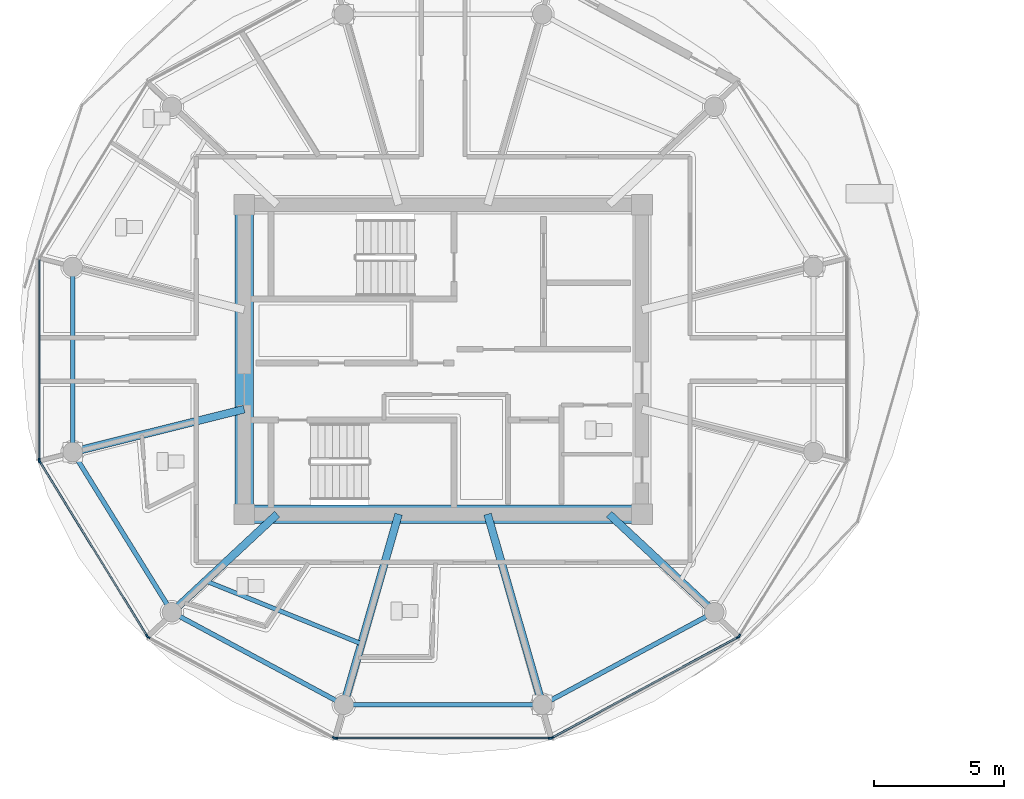
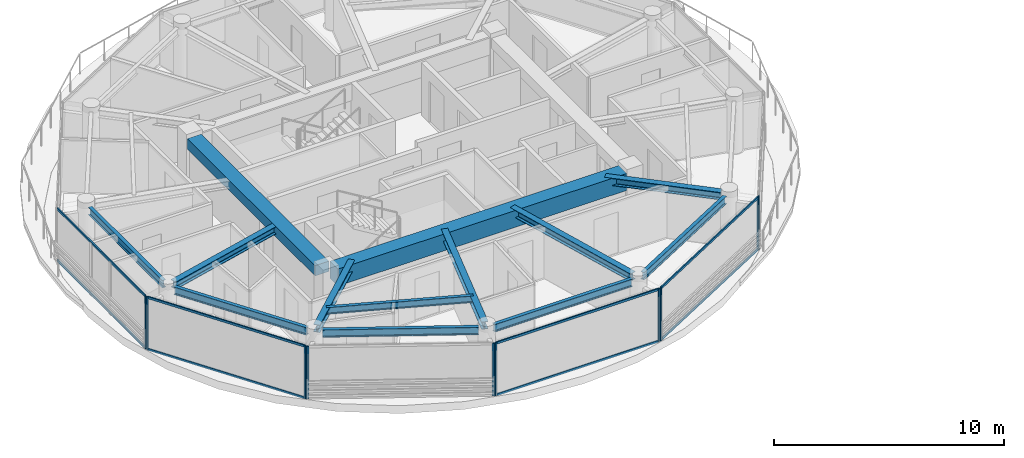
# One storey, part 2 of 28: 18 members, 13 beams, 6 elements without a shape of their own.
"""IFC4 building model written with IfcOpenShell, lengths in metres."""

from ifc_helpers import new_model, si_unit, direction, frame, origin, origin_2d, place, context, subcontext, project, spatial, rectangle, i_section, extrude, source, transform, mapped, material, layer, layer_set, material_profile, profile_set, type_object, type_shapes, element, aggregate, save


model = new_model("IFC4")

# Units and contexts
model_context = context("Model", 3, precision=1e-05, world=origin(), true_north=direction((0.0, 1.0)))
body_context = subcontext(model_context, "Body", "Model", "MODEL_VIEW")
ifc_project = project(units=[si_unit("LENGTHUNIT", "METRE"), si_unit("AREAUNIT", "SQUARE_METRE"), si_unit("VOLUMEUNIT", "CUBIC_METRE"), si_unit("PLANEANGLEUNIT", "RADIAN"), si_unit("MASSUNIT", "GRAM", prefix="KILO")], contexts=[model_context])

# Site, building, storey
site_placement = place(None, origin())
site = spatial("IfcSite", under=ifc_project, at=site_placement, CompositionType="ELEMENT")
building_placement = place(site_placement, origin())
building = spatial("IfcBuilding", under=site, at=building_placement, Name="Norrkilde Senior Care Towers", CompositionType="ELEMENT")
storey_placement = place(building_placement, frame((0.0, 0.0, 190.64990234375)))
storey = spatial("IfcBuildingStorey", under=building, at=storey_placement, Name="L59", CompositionType="ELEMENT", Elevation=190.64990234375)

# Beams
ifc_material_1 = material(Name="Concrete C60/75", Category="concrete")
ifc_material_profile_1 = material_profile(ifc_material_1, rectangle(XDim=0.699951171875, YDim=0.89990234375, at=origin_2d()), Name="RC BM 700x900")
ifc_profile_set_1 = profile_set([ifc_material_profile_1], Name="Concrete C60/75")
beam_type_1 = type_object("IfcBeamType", Name="Core Coupling Girder 700x900", PredefinedType="USERDEFINED", material=ifc_profile_set_1)
shared_shape_1 = source(origin(), body_context, "Body", "SweptSolid", [
    extrude(rectangle(XDim=0.699951171875, YDim=0.89990234375, at=origin_2d()), origin(), (0.0, 0.0, 1.0), 14.5400390625),
])
type_shapes(beam_type_1, [shared_shape_1])
beam_1_placement = place(storey_placement, frame((-35.27001953125, -5.949951171875, 2.360107421875), z_axis=(1.0, 0.0, 0.0), x_axis=(0.0, 1.0, 0.0)))
element("IfcBeam", 1, at=beam_1_placement, inside=storey, type_object=beam_type_1, Name="L59 Core W S Coupling Girder", ObjectType="GIRDER", PredefinedType="USERDEFINED", context=body_context, shape_type="MappedRepresentation", body=[
    mapped(shared_shape_1, transform((0.0, 0.0, 0.0), x_axis=(1.0, 0.0, 0.0), y_axis=(0.0, 1.0, 0.0), z_axis=(0.0, 0.0, 1.0), scale=1.0)),
])
ifc_material_profile_2 = material_profile(ifc_material_1, rectangle(XDim=0.699951171875, YDim=0.550048828125, at=origin_2d()), Name="RC BM 700x550")
ifc_profile_set_2 = profile_set([ifc_material_profile_2], Name="Concrete C60/75")
beam_type_2 = type_object("IfcBeamType", Name="Core Portal Coupling Beam 700x550", PredefinedType="USERDEFINED", material=ifc_profile_set_2)
shared_shape_2 = source(origin(), body_context, "Body", "SweptSolid", [
    extrude(rectangle(XDim=0.699951171875, YDim=0.550048828125, at=origin_2d()), origin(), (0.0, 0.0, 1.0), 11.14013671875),
])
type_shapes(beam_type_2, [shared_shape_2])
beam_2_placement = place(storey_placement, frame((-35.64990234375, -5.570068359375, 2.53515625), z_axis=(0.0, 1.0, 0.0), x_axis=(-1.0, 0.0, 0.0)))
element("IfcBeam", 2, at=beam_2_placement, inside=storey, type_object=beam_type_2, Name="L59 Core W W Coupling Girder", ObjectType="GIRDER", PredefinedType="USERDEFINED", context=body_context, shape_type="MappedRepresentation", body=[
    mapped(shared_shape_2, transform((0.0, 0.0, 0.0), x_axis=(1.0, 0.0, 0.0), y_axis=(0.0, 1.0, 0.0), z_axis=(0.0, 0.0, 1.0), scale=1.0)),
])
ifc_material_2 = material(Name="Steel S355", Category="steel")
ifc_material_profile_3 = material_profile(ifc_material_2, i_section(OverallWidth=0.179931640625, OverallDepth=0.39990234375, WebThickness=0.008544921875, FlangeThickness=0.013427734375, FilletRadius=0.02099609375, at=origin_2d()), Name="IPE 400")
ifc_profile_set_3 = profile_set([ifc_material_profile_3], Name="Steel S355")
beam_type_3 = type_object("IfcBeamType", Name="Perimeter Ring Spandrel Z4 IPE400", PredefinedType="SPANDREL", material=ifc_profile_set_3)
shared_shape_3 = source(origin(), body_context, "Body", "SweptSolid", [
    extrude(i_section(OverallWidth=0.179931640625, OverallDepth=0.39990234375, WebThickness=0.008544921875, FlangeThickness=0.013427734375, FilletRadius=0.02099609375, at=origin_2d()), origin(), (0.0, 0.0, 1.0), 6.58056640625),
])
beam_3_placement = place(storey_placement, frame((-42.071044921875, -3.843505859375, 2.610107421875), z_axis=(0.526529583789, -0.850156807533, 0.0), x_axis=(0.850156807533, 0.526529583789, 0.0)))
element("IfcBeam", 3, at=beam_3_placement, inside=storey, type_object=beam_type_3, Name="L59 Drum W Perimeter Spandrel 07", PredefinedType="SPANDREL", context=body_context, shape_type="MappedRepresentation", body=[
    mapped(shared_shape_3, transform((0.0, 0.0, 0.0), x_axis=(1.0, 0.0, 0.0), y_axis=(0.0, 1.0, 0.0), z_axis=(0.0, 0.0, 1.0), scale=1.0)),
])
ifc_material_profile_4 = material_profile(ifc_material_2, i_section(OverallWidth=0.300048828125, OverallDepth=0.39990234375, WebThickness=0.013427734375, FlangeThickness=0.02392578125, FilletRadius=0.027099609375, at=origin_2d()), Name="HEB 400")
ifc_profile_set_4 = profile_set([ifc_material_profile_4], Name="Steel S355")
beam_type_4 = type_object("IfcBeamType", Name="Radial Floor Beam Z4 HEB400", PredefinedType="BEAM", material=ifc_profile_set_4)
shared_shape_4 = source(origin(), body_context, "Body", "SweptSolid", [
    extrude(i_section(OverallWidth=0.300048828125, OverallDepth=0.39990234375, WebThickness=0.013427734375, FlangeThickness=0.02392578125, FilletRadius=0.027099609375, at=origin_2d()), origin(), (0.0, 0.0, 1.0), 6.465087890625),
])
beam_4_placement = place(storey_placement, frame((-35.64990234375, -1.910888671875, 2.610107421875), z_axis=(-0.970195788563, -0.242322371758, 0.0), x_axis=(0.242322371758, -0.970195788563, 0.0)))
element("IfcBeam", 4, at=beam_4_placement, inside=storey, type_object=beam_type_4, Name="L59 Drum W Radial Floor Beam 07", PredefinedType="BEAM", context=body_context, shape_type="MappedRepresentation", body=[
    mapped(shared_shape_4, transform((0.0, 0.0, 0.0), x_axis=(1.0, 0.0, 0.0), y_axis=(0.0, 1.0, 0.0), z_axis=(0.0, 0.0, 1.0), scale=1.0)),
])
shared_shape_5 = source(origin(), body_context, "Body", "SweptSolid", [
    extrude(i_section(OverallWidth=0.179931640625, OverallDepth=0.39990234375, WebThickness=0.008544921875, FlangeThickness=0.013427734375, FilletRadius=0.02099609375, at=origin_2d()), origin(), (0.0, 0.0, 1.0), 6.839111328125),
])
for number, where, z_axis, x_axis, name in (
    (5, (-38.134765625, -9.881591796875, 2.610107421875), (0.880563930732, -0.473927382511, 0.0), (0.473927382511, 0.880563930732, 0.0), "L59 Drum W Perimeter Spandrel 08"),
    (6, (-23.887451171875, -13.122802734375, 2.610107421875), (0.880563930732, 0.473927382511, 0.0), (-0.473927382511, 0.880563930732, 0.0), "L59 Drum W Perimeter Spandrel 10"),
):
    element("IfcBeam", number, at=place(storey_placement, frame(where, z_axis=z_axis, x_axis=x_axis)), inside=storey, type_object=beam_type_3, Name=name, PredefinedType="SPANDREL", context=body_context, shape_type="MappedRepresentation", body=[
        mapped(shared_shape_5, transform((0.0, 0.0, 0.0), x_axis=(1.0, 0.0, 0.0), y_axis=(0.0, 1.0, 0.0), z_axis=(0.0, 0.0, 1.0), scale=1.0)),
    ])
shared_shape_6 = source(origin(), body_context, "Body", "SweptSolid", [
    extrude(i_section(OverallWidth=0.300048828125, OverallDepth=0.39990234375, WebThickness=0.013427734375, FlangeThickness=0.02392578125, FilletRadius=0.027099609375, at=origin_2d()), origin(), (0.0, 0.0, 1.0), 5.197998046875),
])
for number, where, z_axis, x_axis, name in (
    (7, (-34.3828125, -5.949951171875, 2.610107421875), (-0.731448749334, -0.681896419625, 0.0), (0.681896419625, -0.731448749334, 0.0), "L59 Drum W Radial Floor Beam 08"),
    (8, (-21.6171875, -5.949951171875, 2.610107421875), (0.731448749334, -0.681896419625, 0.0), (0.681896419625, 0.731448749334, 0.0), "L59 Drum W Radial Floor Beam 11"),
):
    element("IfcBeam", number, at=place(storey_placement, frame(where, z_axis=z_axis, x_axis=x_axis)), inside=storey, type_object=beam_type_4, Name=name, PredefinedType="BEAM", context=body_context, shape_type="MappedRepresentation", body=[
        mapped(shared_shape_6, transform((0.0, 0.0, 0.0), x_axis=(1.0, 0.0, 0.0), y_axis=(0.0, 1.0, 0.0), z_axis=(0.0, 0.0, 1.0), scale=1.0)),
    ])
shared_shape_7 = source(origin(), body_context, "Body", "SweptSolid", [
    extrude(i_section(OverallWidth=0.179931640625, OverallDepth=0.39990234375, WebThickness=0.008544921875, FlangeThickness=0.013427734375, FilletRadius=0.02099609375, at=origin_2d()), origin(), (0.0, 0.0, 1.0), 6.96533203125),
])
beam_5_placement = place(storey_placement, frame((-31.482666015625, -13.281494140625, 2.610107421875), z_axis=(1.0, 0.0, 0.0), x_axis=(0.0, 1.0, 0.0)))
element("IfcBeam", 9, at=beam_5_placement, inside=storey, type_object=beam_type_3, Name="L59 Drum W Perimeter Spandrel 09", PredefinedType="SPANDREL", context=body_context, shape_type="MappedRepresentation", body=[
    mapped(shared_shape_7, transform((0.0, 0.0, 0.0), x_axis=(1.0, 0.0, 0.0), y_axis=(0.0, 1.0, 0.0), z_axis=(0.0, 0.0, 1.0), scale=1.0)),
])
shared_shape_8 = source(origin(), body_context, "Body", "SweptSolid", [
    extrude(i_section(OverallWidth=0.300048828125, OverallDepth=0.39990234375, WebThickness=0.013427734375, FlangeThickness=0.02392578125, FilletRadius=0.027099609375, at=origin_2d()), origin(), (0.0, 0.0, 1.0), 7.29345703125),
])
type_shapes(beam_type_4, [shared_shape_4, shared_shape_6, shared_shape_8])
for number, where, z_axis, x_axis, name in (
    (10, (-29.710205078125, -5.949951171875, 2.610107421875), (-0.276263751906, -0.961081858836, 0.0), (0.961081858836, -0.276263751906, 0.0), "L59 Drum W Radial Floor Beam 09"),
    (11, (-26.289794921875, -5.949951171875, 2.610107421875), (0.276263751906, -0.961081858836, 0.0), (0.961081858836, 0.276263751906, 0.0), "L59 Drum W Radial Floor Beam 10"),
):
    element("IfcBeam", number, at=place(storey_placement, frame(where, z_axis=z_axis, x_axis=x_axis)), inside=storey, type_object=beam_type_4, Name=name, PredefinedType="BEAM", context=body_context, shape_type="MappedRepresentation", body=[
        mapped(shared_shape_8, transform((0.0, 0.0, 0.0), x_axis=(1.0, 0.0, 0.0), y_axis=(0.0, 1.0, 0.0), z_axis=(0.0, 0.0, 1.0), scale=1.0)),
    ])
shared_shape_9 = source(origin(), body_context, "Body", "SweptSolid", [
    extrude(i_section(OverallWidth=0.179931640625, OverallDepth=0.39990234375, WebThickness=0.008544921875, FlangeThickness=0.013427734375, FilletRadius=0.02099609375, at=origin_2d()), origin(), (0.0, 0.0, 1.0), 6.44775390625),
])
type_shapes(beam_type_3, [shared_shape_3, shared_shape_5, shared_shape_7, shared_shape_9])
beam_6_placement = place(storey_placement, frame((-42.247314453125, 3.223876953125, 2.610107421875), z_axis=(0.0, -1.0, 0.0), x_axis=(1.0, 0.0, 0.0)))
element("IfcBeam", 12, at=beam_6_placement, inside=storey, type_object=beam_type_3, Name="L59 Drum W Perimeter Spandrel 06", PredefinedType="SPANDREL", context=body_context, shape_type="MappedRepresentation", body=[
    mapped(shared_shape_9, transform((0.0, 0.0, 0.0), x_axis=(1.0, 0.0, 0.0), y_axis=(0.0, 1.0, 0.0), z_axis=(0.0, 0.0, 1.0), scale=1.0)),
])
ifc_material_profile_5 = material_profile(ifc_material_2, i_section(OverallWidth=0.169921875, OverallDepth=0.360107421875, WebThickness=0.008056640625, FlangeThickness=0.0126953125, FilletRadius=0.01806640625, at=origin_2d()), Name="IPE 360")
ifc_profile_set_5 = profile_set([ifc_material_profile_5], Name="Steel S355")
beam_type_5 = type_object("IfcBeamType", Name="Secondary Floor Joist IPE360", PredefinedType="JOIST", material=ifc_profile_set_5)
shared_shape_10 = source(origin(), body_context, "Body", "SweptSolid", [
    extrude(i_section(OverallWidth=0.169921875, OverallDepth=0.360107421875, WebThickness=0.008056640625, FlangeThickness=0.0126953125, FilletRadius=0.01806640625, at=origin_2d()), origin(), (0.0, 0.0, 1.0), 6.461669921875),
])
type_shapes(beam_type_5, [shared_shape_10])
beam_7_placement = place(storey_placement, frame((-37.134765625, -8.515380859375, 2.630126953125), z_axis=(0.927225942298, -0.374502405772, 0.0), x_axis=(0.374502405772, 0.927225942298, 0.0)))
element("IfcBeam", 13, at=beam_7_placement, inside=storey, type_object=beam_type_5, Name="L59 Drum W Secondary Floor Joist 3", PredefinedType="JOIST", context=body_context, shape_type="MappedRepresentation", body=[
    mapped(shared_shape_10, transform((0.0, 0.0, 0.0), x_axis=(1.0, 0.0, 0.0), y_axis=(0.0, 1.0, 0.0), z_axis=(0.0, 0.0, 1.0), scale=1.0)),
])

# Curtain wall, member
ifc_material_3 = material(Name="Triple Low-E Insulated Glazing", Category="glass")
ifc_layer = layer(ifc_material_3, 0.18505859375)
ifc_layer_set = layer_set([ifc_layer], Name="Triple Low-E Insulated Glazing")
curtain_wall_type = type_object("IfcCurtainWallType", Name="CW6 Zone 4 Crown Pavilion Curtain Wall", PredefinedType="NOTDEFINED", material=ifc_layer_set)
curtain_wall_1_placement = place(storey_placement, origin())
curtain_wall_1 = element("IfcCurtainWall", 14, at=curtain_wall_1_placement, inside=storey, type_object=curtain_wall_type, Name="L59 Drum W Curtain Wall 05", PredefinedType="NOTDEFINED")
ifc_material_4 = material(Name="Anodised Aluminium", Category="aluminium")
ifc_material_profile_6 = material_profile(ifc_material_4, rectangle(XDim=0.06494140625, YDim=0.14990234375, at=origin_2d()), Name="ALU MULL 65x150")
ifc_profile_set_6 = profile_set([ifc_material_profile_6], Name="Anodised Aluminium")
member_type_1 = type_object("IfcMemberType", Name="Curtain Wall Mullion Z3-Z4 65x150", PredefinedType="MULLION", material=ifc_profile_set_6)
shared_shape_11 = source(origin(), body_context, "Body", "SweptSolid", [
    extrude(rectangle(XDim=0.06494140625, YDim=0.14990234375, at=origin_2d()), origin(), (0.0, 0.0, 1.0), 2.81005859375),
])
type_shapes(member_type_1, [shared_shape_11])
member_1_placement = place(storey_placement, frame((-43.531982421875, -3.87060546875, 0.0), z_axis=(0.0, 0.0, 1.0), x_axis=(-1.0, 0.0, 0.0)))
member_1 = element("IfcMember", 15, at=member_1_placement, type_object=member_type_1, Name="CW-6 mullion 1", PredefinedType="MULLION", context=body_context, shape_type="MappedRepresentation", body=[
    mapped(shared_shape_11, transform((0.0, 0.0, 0.0), x_axis=(1.0, 0.0, 0.0), y_axis=(0.0, 1.0, 0.0), z_axis=(0.0, 0.0, 1.0), scale=1.0)),
])

# Curtain wall, members
curtain_wall_2_placement = place(storey_placement, origin())
curtain_wall_2 = element("IfcCurtainWall", 16, at=curtain_wall_2_placement, inside=storey, type_object=curtain_wall_type, Name="L59 Drum W Curtain Wall 06", PredefinedType="NOTDEFINED")
member_2_placement = place(storey_placement, frame((-39.38720703125, -10.635498046875, 0.0), z_axis=(0.0, 0.0, 1.0), x_axis=(-0.851562727283, -0.524252726748, 0.0)))
member_2 = element("IfcMember", 17, at=member_2_placement, type_object=member_type_1, Name="CW-6 mullion 1", PredefinedType="MULLION", context=body_context, shape_type="MappedRepresentation", body=[
    mapped(shared_shape_11, transform((0.0, 0.0, 0.0), x_axis=(1.0, 0.0, 0.0), y_axis=(0.0, 1.0, 0.0), z_axis=(0.0, 0.0, 1.0), scale=1.0)),
])
member_3_placement = place(storey_placement, frame((-43.51513671875, -3.9306640625, 0.0), z_axis=(0.0, 0.0, 1.0), x_axis=(-0.851562727283, -0.524252726748, 0.0)))
member_3 = element("IfcMember", 18, at=member_3_placement, type_object=member_type_1, Name="CW-6 mullion 2", PredefinedType="MULLION", context=body_context, shape_type="MappedRepresentation", body=[
    mapped(shared_shape_11, transform((0.0, 0.0, 0.0), x_axis=(1.0, 0.0, 0.0), y_axis=(0.0, 1.0, 0.0), z_axis=(0.0, 0.0, 1.0), scale=1.0)),
])

curtain_wall_3_placement = place(storey_placement, origin())
curtain_wall_3 = element("IfcCurtainWall", 19, at=curtain_wall_3_placement, inside=storey, type_object=curtain_wall_type, Name="L59 Drum W Curtain Wall 07", PredefinedType="NOTDEFINED")
member_4_placement = place(storey_placement, frame((-32.1904296875, -14.55078125, 0.0), z_axis=(0.0, 0.0, 1.0), x_axis=(-0.476132676136, -0.879373455772, 0.0)))
member_4 = element("IfcMember", 20, at=member_4_placement, type_object=member_type_1, Name="CW-6 mullion 1", PredefinedType="MULLION", context=body_context, shape_type="MappedRepresentation", body=[
    mapped(shared_shape_11, transform((0.0, 0.0, 0.0), x_axis=(1.0, 0.0, 0.0), y_axis=(0.0, 1.0, 0.0), z_axis=(0.0, 0.0, 1.0), scale=1.0)),
])
member_5_placement = place(storey_placement, frame((-39.341796875, -10.6787109375, 0.0), z_axis=(0.0, 0.0, 1.0), x_axis=(-0.476132676136, -0.879373455772, 0.0)))
member_5 = element("IfcMember", 21, at=member_5_placement, type_object=member_type_1, Name="CW-6 mullion 2", PredefinedType="MULLION", context=body_context, shape_type="MappedRepresentation", body=[
    mapped(shared_shape_11, transform((0.0, 0.0, 0.0), x_axis=(1.0, 0.0, 0.0), y_axis=(0.0, 1.0, 0.0), z_axis=(0.0, 0.0, 1.0), scale=1.0)),
])
aggregate(curtain_wall_3, [member_4, member_5])

curtain_wall_4_placement = place(storey_placement, origin())
curtain_wall_4 = element("IfcCurtainWall", 22, at=curtain_wall_4_placement, inside=storey, type_object=curtain_wall_type, Name="L59 Drum W Curtain Wall 08", PredefinedType="NOTDEFINED")
member_6_placement = place(storey_placement, frame((-23.87060546875, -14.566162109375, 0.0), z_axis=(0.0, 0.0, 1.0), x_axis=(0.0, -1.0, 0.0)))
member_6 = element("IfcMember", 23, at=member_6_placement, type_object=member_type_1, Name="CW-6 mullion 1", PredefinedType="MULLION", context=body_context, shape_type="MappedRepresentation", body=[
    mapped(shared_shape_11, transform((0.0, 0.0, 0.0), x_axis=(1.0, 0.0, 0.0), y_axis=(0.0, 1.0, 0.0), z_axis=(0.0, 0.0, 1.0), scale=1.0)),
])
member_7_placement = place(storey_placement, frame((-32.12939453125, -14.566162109375, 0.0), z_axis=(0.0, 0.0, 1.0), x_axis=(0.0, -1.0, 0.0)))
member_7 = element("IfcMember", 24, at=member_7_placement, type_object=member_type_1, Name="CW-6 mullion 2", PredefinedType="MULLION", context=body_context, shape_type="MappedRepresentation", body=[
    mapped(shared_shape_11, transform((0.0, 0.0, 0.0), x_axis=(1.0, 0.0, 0.0), y_axis=(0.0, 1.0, 0.0), z_axis=(0.0, 0.0, 1.0), scale=1.0)),
])

curtain_wall_5_placement = place(storey_placement, origin())
curtain_wall_5 = element("IfcCurtainWall", 25, at=curtain_wall_5_placement, inside=storey, type_object=curtain_wall_type, Name="L59 Drum W Curtain Wall 09", PredefinedType="NOTDEFINED")
member_8_placement = place(storey_placement, frame((-16.658203125, -10.6787109375, 0.0), z_axis=(0.0, 0.0, 1.0), x_axis=(0.476132676136, -0.879373455772, 0.0)))
member_8 = element("IfcMember", 26, at=member_8_placement, type_object=member_type_1, Name="CW-6 mullion 1", PredefinedType="MULLION", context=body_context, shape_type="MappedRepresentation", body=[
    mapped(shared_shape_11, transform((0.0, 0.0, 0.0), x_axis=(1.0, 0.0, 0.0), y_axis=(0.0, 1.0, 0.0), z_axis=(0.0, 0.0, 1.0), scale=1.0)),
])
member_9_placement = place(storey_placement, frame((-23.8095703125, -14.55078125, 0.0), z_axis=(0.0, 0.0, 1.0), x_axis=(0.476132676136, -0.879373455772, 0.0)))
member_9 = element("IfcMember", 27, at=member_9_placement, type_object=member_type_1, Name="CW-6 mullion 2", PredefinedType="MULLION", context=body_context, shape_type="MappedRepresentation", body=[
    mapped(shared_shape_11, transform((0.0, 0.0, 0.0), x_axis=(1.0, 0.0, 0.0), y_axis=(0.0, 1.0, 0.0), z_axis=(0.0, 0.0, 1.0), scale=1.0)),
])

# Curtain wall, member
curtain_wall_6_placement = place(storey_placement, origin())
curtain_wall_6 = element("IfcCurtainWall", 28, at=curtain_wall_6_placement, inside=storey, type_object=curtain_wall_type, Name="L59 Drum W Curtain Wall 10", PredefinedType="NOTDEFINED")
member_10_placement = place(storey_placement, frame((-16.61279296875, -10.635498046875, 0.0), z_axis=(0.0, 0.0, 1.0), x_axis=(0.851562727283, -0.524252726748, 0.0)))
member_10 = element("IfcMember", 29, at=member_10_placement, type_object=member_type_1, Name="CW-6 mullion 2", PredefinedType="MULLION", context=body_context, shape_type="MappedRepresentation", body=[
    mapped(shared_shape_11, transform((0.0, 0.0, 0.0), x_axis=(1.0, 0.0, 0.0), y_axis=(0.0, 1.0, 0.0), z_axis=(0.0, 0.0, 1.0), scale=1.0)),
])
aggregate(curtain_wall_6, [member_10])

# Member
ifc_material_profile_7 = material_profile(ifc_material_4, rectangle(XDim=0.06005859375, YDim=0.1201171875, at=origin_2d()), Name="ALU TRAN 60x120")
ifc_profile_set_7 = profile_set([ifc_material_profile_7], Name="Anodised Aluminium")
member_type_2 = type_object("IfcMemberType", Name="Curtain Wall Transom Typical 60x120", PredefinedType="USERDEFINED", material=ifc_profile_set_7)
shared_shape_12 = source(origin(), body_context, "Body", "SweptSolid", [
    extrude(rectangle(XDim=0.06005859375, YDim=0.1201171875, at=origin_2d()), origin(), (0.0, 0.0, 1.0), 7.808837890625),
])
member_11_placement = place(storey_placement, frame((-39.404296875, -10.60791015625, 0.030029296875), z_axis=(-0.524250924101, 0.851563837055, 0.0), x_axis=(-0.851563837055, -0.524250924101, 0.0)))
member_11 = element("IfcMember", 30, at=member_11_placement, type_object=member_type_2, Name="CW-6 transom 1.1", ObjectType="TRANSOM", PredefinedType="USERDEFINED", context=body_context, shape_type="MappedRepresentation", body=[
    mapped(shared_shape_12, transform((0.0, 0.0, 0.0), x_axis=(1.0, 0.0, 0.0), y_axis=(0.0, 1.0, 0.0), z_axis=(0.0, 0.0, 1.0), scale=1.0)),
])

member_12_placement = place(storey_placement, frame((-39.404296875, -10.60791015625, 2.780029296875), z_axis=(-0.524250924101, 0.851563837055, 0.0), x_axis=(-0.851563837055, -0.524250924101, 0.0)))
member_12 = element("IfcMember", 31, at=member_12_placement, type_object=member_type_2, Name="CW-6 transom 1.2", ObjectType="TRANSOM", PredefinedType="USERDEFINED", context=body_context, shape_type="MappedRepresentation", body=[
    mapped(shared_shape_12, transform((0.0, 0.0, 0.0), x_axis=(1.0, 0.0, 0.0), y_axis=(0.0, 1.0, 0.0), z_axis=(0.0, 0.0, 1.0), scale=1.0)),
])

aggregate(curtain_wall_2, [member_2, member_3, member_11, member_12])

shared_shape_13 = source(origin(), body_context, "Body", "SweptSolid", [
    extrude(rectangle(XDim=0.06005859375, YDim=0.1201171875, at=origin_2d()), origin(), (0.0, 0.0, 1.0), 8.19384765625),
])
member_13_placement = place(storey_placement, frame((-23.903076171875, -14.566162109375, 0.030029296875), z_axis=(-1.0, 0.0, 0.0), x_axis=(0.0, -1.0, 0.0)))
member_13 = element("IfcMember", 32, at=member_13_placement, type_object=member_type_2, Name="CW-6 transom 1.1", ObjectType="TRANSOM", PredefinedType="USERDEFINED", context=body_context, shape_type="MappedRepresentation", body=[
    mapped(shared_shape_13, transform((0.0, 0.0, 0.0), x_axis=(1.0, 0.0, 0.0), y_axis=(0.0, 1.0, 0.0), z_axis=(0.0, 0.0, 1.0), scale=1.0)),
])

member_14_placement = place(storey_placement, frame((-23.903076171875, -14.566162109375, 2.780029296875), z_axis=(-1.0, 0.0, 0.0), x_axis=(0.0, -1.0, 0.0)))
member_14 = element("IfcMember", 33, at=member_14_placement, type_object=member_type_2, Name="CW-6 transom 1.2", ObjectType="TRANSOM", PredefinedType="USERDEFINED", context=body_context, shape_type="MappedRepresentation", body=[
    mapped(shared_shape_13, transform((0.0, 0.0, 0.0), x_axis=(1.0, 0.0, 0.0), y_axis=(0.0, 1.0, 0.0), z_axis=(0.0, 0.0, 1.0), scale=1.0)),
])

aggregate(curtain_wall_4, [member_6, member_7, member_13, member_14])

shared_shape_14 = source(origin(), body_context, "Body", "SweptSolid", [
    extrude(rectangle(XDim=0.06005859375, YDim=0.1201171875, at=origin_2d()), origin(), (0.0, 0.0, 1.0), 8.0673828125),
])
member_15_placement = place(storey_placement, frame((-16.686767578125, -10.694091796875, 0.030029296875), z_axis=(-0.87937750072, -0.476125205411, 0.0), x_axis=(0.476125205411, -0.87937750072, 0.0)))
member_15 = element("IfcMember", 34, at=member_15_placement, type_object=member_type_2, Name="CW-6 transom 1.1", ObjectType="TRANSOM", PredefinedType="USERDEFINED", context=body_context, shape_type="MappedRepresentation", body=[
    mapped(shared_shape_14, transform((0.0, 0.0, 0.0), x_axis=(1.0, 0.0, 0.0), y_axis=(0.0, 1.0, 0.0), z_axis=(0.0, 0.0, 1.0), scale=1.0)),
])

member_16_placement = place(storey_placement, frame((-16.686767578125, -10.694091796875, 2.780029296875), z_axis=(-0.87937750072, -0.476125205411, 0.0), x_axis=(0.476125205411, -0.87937750072, 0.0)))
member_16 = element("IfcMember", 35, at=member_16_placement, type_object=member_type_2, Name="CW-6 transom 1.2", ObjectType="TRANSOM", PredefinedType="USERDEFINED", context=body_context, shape_type="MappedRepresentation", body=[
    mapped(shared_shape_14, transform((0.0, 0.0, 0.0), x_axis=(1.0, 0.0, 0.0), y_axis=(0.0, 1.0, 0.0), z_axis=(0.0, 0.0, 1.0), scale=1.0)),
])

aggregate(curtain_wall_5, [member_8, member_9, member_15, member_16])

shared_shape_15 = source(origin(), body_context, "Body", "SweptSolid", [
    extrude(rectangle(XDim=0.06005859375, YDim=0.1201171875, at=origin_2d()), origin(), (0.0, 0.0, 1.0), 7.67578125),
])
type_shapes(member_type_2, [shared_shape_12, shared_shape_13, shared_shape_14, shared_shape_15])
member_17_placement = place(storey_placement, frame((-43.531982421875, -3.837890625, 0.030029296875), z_axis=(0.0, 1.0, 0.0), x_axis=(-1.0, 0.0, 0.0)))
member_17 = element("IfcMember", 36, at=member_17_placement, type_object=member_type_2, Name="CW-6 transom 1.1", ObjectType="TRANSOM", PredefinedType="USERDEFINED", context=body_context, shape_type="MappedRepresentation", body=[
    mapped(shared_shape_15, transform((0.0, 0.0, 0.0), x_axis=(1.0, 0.0, 0.0), y_axis=(0.0, 1.0, 0.0), z_axis=(0.0, 0.0, 1.0), scale=1.0)),
])

member_18_placement = place(storey_placement, frame((-43.531982421875, -3.837890625, 2.780029296875), z_axis=(0.0, 1.0, 0.0), x_axis=(-1.0, 0.0, 0.0)))
member_18 = element("IfcMember", 37, at=member_18_placement, type_object=member_type_2, Name="CW-6 transom 1.2", ObjectType="TRANSOM", PredefinedType="USERDEFINED", context=body_context, shape_type="MappedRepresentation", body=[
    mapped(shared_shape_15, transform((0.0, 0.0, 0.0), x_axis=(1.0, 0.0, 0.0), y_axis=(0.0, 1.0, 0.0), z_axis=(0.0, 0.0, 1.0), scale=1.0)),
])

aggregate(curtain_wall_1, [member_1, member_17, member_18])

save(model, "model.ifc")
